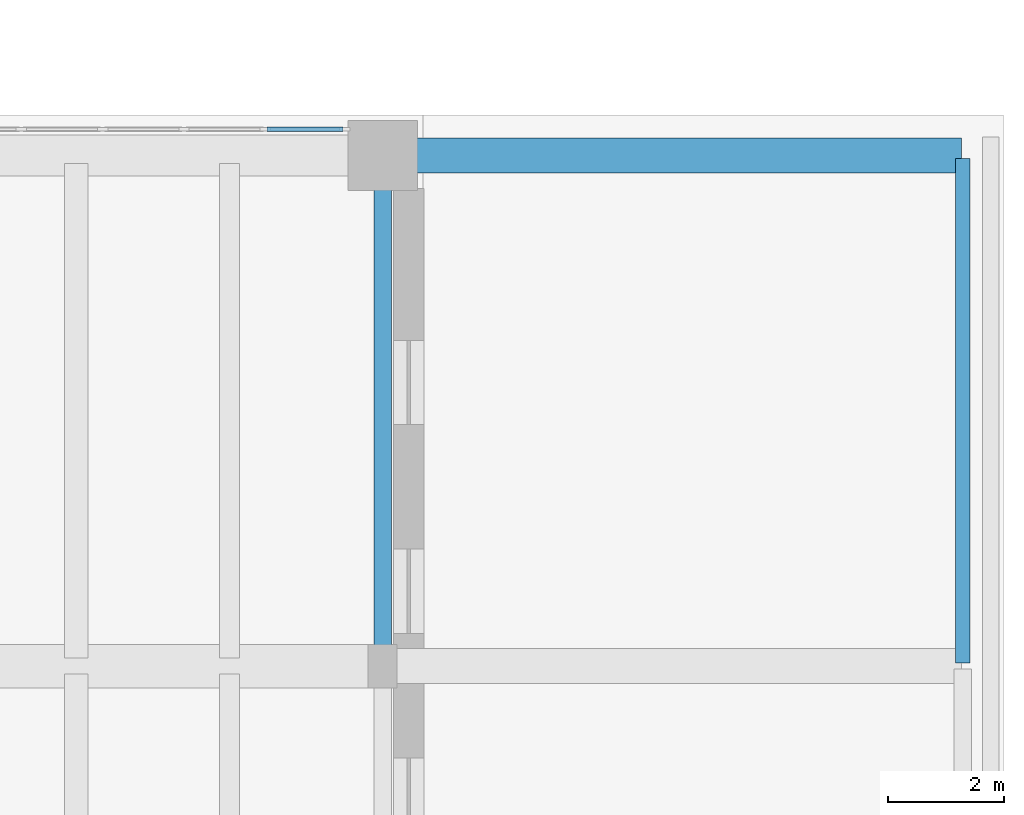
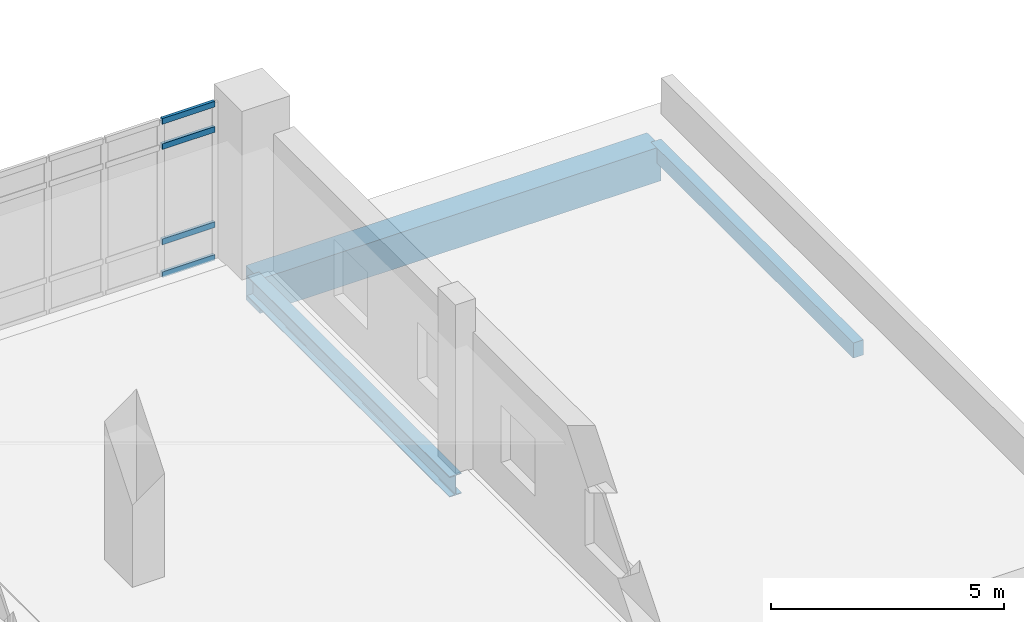
# One storey, part 45 of 89: 4 members, 3 beams, 1 element without a shape of its own.
"""IFC4 building model written with IfcOpenShell, lengths in metres."""

from ifc_helpers import new_model, si_unit, direction, frame, origin, origin_2d, place, context, subcontext, project, spatial, rectangle, i_section, extrude, material, material_profile, profile_set, type_object, element, aggregate, save


model = new_model("IFC4")

# Units and contexts
model_context = context("Model", 3, precision=1e-05, world=origin(), true_north=direction((0.0, 1.0)))
body_context = subcontext(model_context, "Body", "Model", "MODEL_VIEW")
ifc_project = project(units=[si_unit("LENGTHUNIT", "METRE"), si_unit("AREAUNIT", "SQUARE_METRE"), si_unit("VOLUMEUNIT", "CUBIC_METRE"), si_unit("PLANEANGLEUNIT", "RADIAN"), si_unit("MASSUNIT", "GRAM", prefix="KILO")], contexts=[model_context])

# Site, building, storey
site_placement = place(None, origin())
site = spatial("IfcSite", under=ifc_project, at=site_placement, CompositionType="ELEMENT")
building_placement = place(site_placement, origin())
building = spatial("IfcBuilding", under=site, at=building_placement, Name="Soyqirgoq Riverine Aquarium", CompositionType="ELEMENT")
storey_placement = place(building_placement, frame((0.0, 0.0, 5.39990234375)))
storey = spatial("IfcBuildingStorey", under=building, at=storey_placement, Name="L02", CompositionType="ELEMENT", Elevation=5.39990234375)

# Curtain wall, members
ifc_material_1 = material(Name="Anodised aluminium thermally broken gallery curtain wall", Category="aluminium")
curtain_wall_type = type_object("IfcCurtainWallType", Name="CW_Pavilion_Ribbon", PredefinedType="NOTDEFINED", material=ifc_material_1)
curtain_wall_placement = place(storey_placement, origin())
curtain_wall = element("IfcCurtainWall", 1, at=curtain_wall_placement, inside=storey, type_object=curtain_wall_type, Name="V7 L02 Curtain Wall 124", PredefinedType="NOTDEFINED")
ifc_material_2 = material(Name="Anodised aluminium 6063-T6", Category="aluminium")
ifc_material_profile_1 = material_profile(ifc_material_2, rectangle(XDim=0.074951171875, YDim=0.14990234375, at=origin_2d()), Name="ALU-T 75x150")
ifc_profile_set_1 = profile_set([ifc_material_profile_1], Name="Anodised aluminium 6063-T6")
member_type = type_object("IfcMemberType", Name="CWTransom_75x150", PredefinedType="USERDEFINED", material=ifc_profile_set_1)
member_1_placement = place(storey_placement, frame((151.310546875, 74.75, 0.03759765625), z_axis=(1.0, 0.0, 0.0), x_axis=(0.0, 1.0, 0.0)))
member_1 = element("IfcMember", 2, at=member_1_placement, type_object=member_type, Name="CW-05 transom 5.1", ObjectType="TRANSOM", PredefinedType="USERDEFINED", context=body_context, shape_type="SweptSolid", body=[
    extrude(rectangle(XDim=0.074951171875, YDim=0.14990234375, at=origin_2d()), origin(), (0.0, 0.0, 1.0), 1.304443359375),
])
member_2_placement = place(storey_placement, frame((151.310546875, 74.75, 0.900146484375), z_axis=(1.0, 0.0, 0.0), x_axis=(0.0, 1.0, 0.0)))
member_2 = element("IfcMember", 3, at=member_2_placement, type_object=member_type, Name="CW-05 transom 5.2", ObjectType="TRANSOM", PredefinedType="USERDEFINED", context=body_context, shape_type="SweptSolid", body=[
    extrude(rectangle(XDim=0.074951171875, YDim=0.14990234375, at=origin_2d()), origin(), (0.0, 0.0, 1.0), 1.304443359375),
])
member_3_placement = place(storey_placement, frame((151.310546875, 74.75, 3.400146484375), z_axis=(1.0, 0.0, 0.0), x_axis=(0.0, 1.0, 0.0)))
member_3 = element("IfcMember", 4, at=member_3_placement, type_object=member_type, Name="CW-05 transom 5.3", ObjectType="TRANSOM", PredefinedType="USERDEFINED", context=body_context, shape_type="SweptSolid", body=[
    extrude(rectangle(XDim=0.074951171875, YDim=0.14990234375, at=origin_2d()), origin(), (0.0, 0.0, 1.0), 1.304443359375),
])
member_4_placement = place(storey_placement, frame((151.310546875, 74.75, 4.0625), z_axis=(1.0, 0.0, 0.0), x_axis=(0.0, 1.0, 0.0)))
member_4 = element("IfcMember", 5, at=member_4_placement, type_object=member_type, Name="CW-05 transom 5.4", ObjectType="TRANSOM", PredefinedType="USERDEFINED", context=body_context, shape_type="SweptSolid", body=[
    extrude(rectangle(XDim=0.074951171875, YDim=0.14990234375, at=origin_2d()), origin(), (0.0, 0.0, 1.0), 1.304443359375),
])
aggregate(curtain_wall, [member_1, member_2, member_3, member_4])

# Beams
ifc_material_3 = material(Name="Concrete C40/50", Category="concrete")
ifc_material_profile_2 = material_profile(ifc_material_3, rectangle(XDim=0.60009765625, YDim=0.89990234375, at=origin_2d()), Name="RC 600x900")
ifc_profile_set_2 = profile_set([ifc_material_profile_2], Name="Concrete C40/50")
beam_type_1 = type_object("IfcBeamType", Name="Girder_RC_600x900", PredefinedType="BEAM", material=ifc_profile_set_2)
beam_1_placement = place(storey_placement, frame((153.320068359375, 74.300048828125, -0.7998046875), z_axis=(1.0, 0.0, 0.0), x_axis=(0.0, 1.0, 0.0)))
element("IfcBeam", 6, at=beam_1_placement, inside=storey, type_object=beam_type_1, Name="V7 L02 East-West Frame Girder 1334", PredefinedType="BEAM", context=body_context, shape_type="SweptSolid", body=[
    extrude(rectangle(XDim=0.60009765625, YDim=0.89990234375, at=origin_2d()), origin(), (0.0, 0.0, 1.0), 9.9599609375),
])
ifc_material_4 = material(Name="Concrete C40/50", Category="concrete")
ifc_material_profile_3 = material_profile(ifc_material_4, rectangle(XDim=0.25, YDim=0.39990234375, at=origin_2d()), Name="RC 250x400")
ifc_profile_set_3 = profile_set([ifc_material_profile_3], Name="Concrete C40/50")
beam_type_2 = type_object("IfcBeamType", Name="Lintel_RC_250x400", PredefinedType="LINTEL", material=ifc_profile_set_3)
beam_2_placement = place(storey_placement, frame((163.300048828125, 65.550048828125, -0.5498046875), z_axis=(0.0, 1.0, 0.0), x_axis=(-1.0, 0.0, 0.0)))
element("IfcBeam", 7, at=beam_2_placement, inside=storey, type_object=beam_type_2, Name="V7 L02 North-South Frame Beam 1336", PredefinedType="LINTEL", context=body_context, shape_type="SweptSolid", body=[
    extrude(rectangle(XDim=0.25, YDim=0.39990234375, at=origin_2d()), origin(), (0.0, 0.0, 1.0), 8.699951171875),
])
ifc_material_5 = material(Name="Structural steel S355", Category="steel")
ifc_material_profile_4 = material_profile(ifc_material_5, i_section(OverallWidth=0.300048828125, OverallDepth=0.5400390625, WebThickness=0.012451171875, FlangeThickness=0.02392578125, FilletRadius=0.027099609375, at=origin_2d()), Name="HEA 550")
ifc_profile_set_4 = profile_set([ifc_material_profile_4], Name="Structural steel S355")
beam_type_3 = type_object("IfcBeamType", Name="SteelBeam_HEA550", PredefinedType="BEAM", material=ifc_profile_set_4)
beam_3_placement = place(storey_placement, frame((153.300048828125, 65.550048828125, -0.619873046875), z_axis=(0.0, 1.0, 0.0), x_axis=(-1.0, 0.0, 0.0)))
element("IfcBeam", 8, at=beam_3_placement, inside=storey, type_object=beam_type_3, Name="V7 L02 North-South Frame Beam 1332", PredefinedType="BEAM", context=body_context, shape_type="SweptSolid", body=[
    extrude(i_section(OverallWidth=0.300048828125, OverallDepth=0.5400390625, WebThickness=0.012451171875, FlangeThickness=0.02392578125, FilletRadius=0.027099609375, at=origin_2d()), origin(), (0.0, 0.0, 1.0), 8.699951171875),
])

save(model, "model.ifc")
